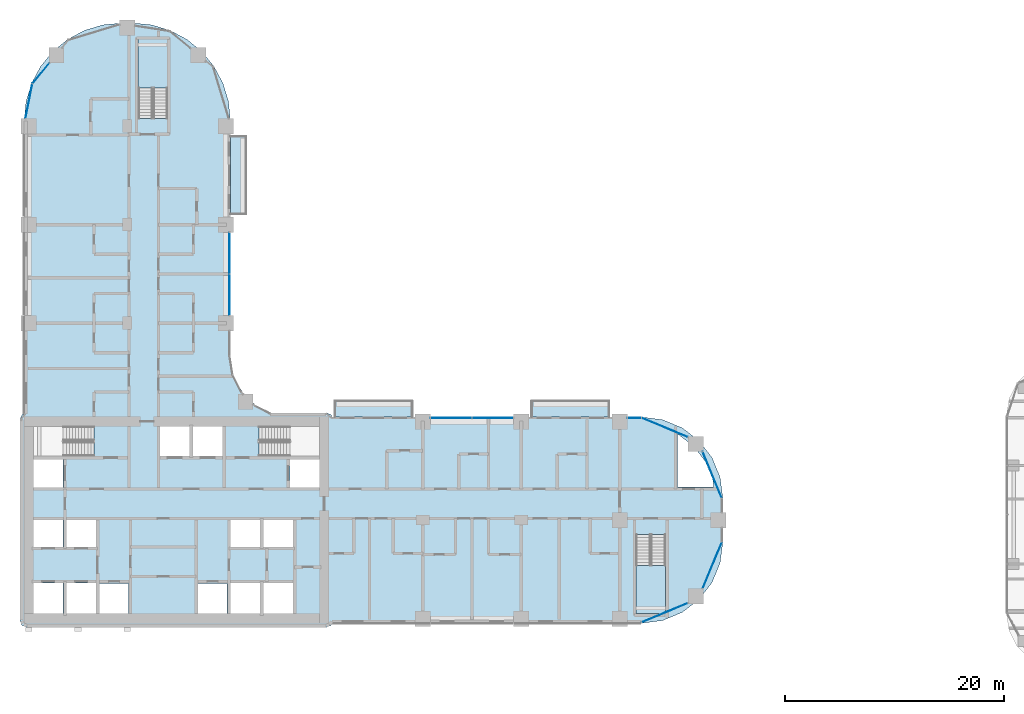
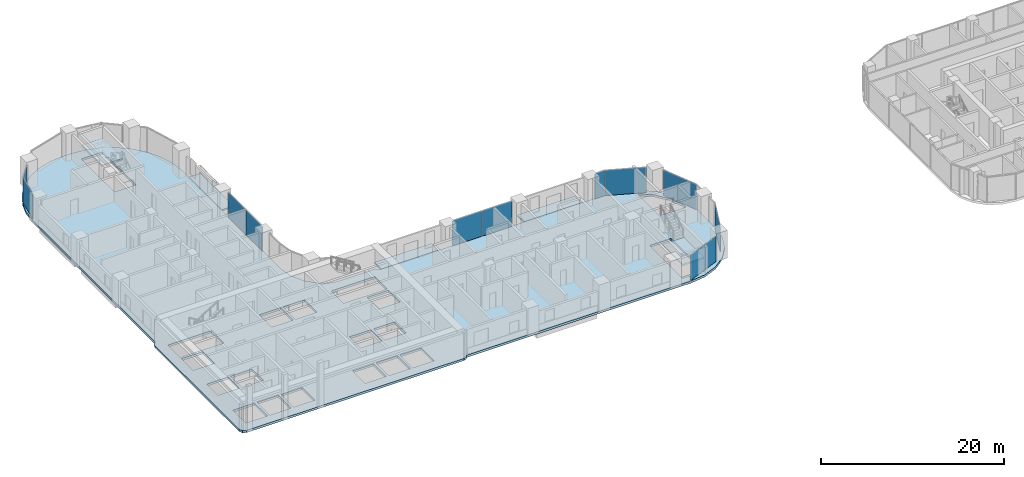
# One storey, part 11 of 30: 11 plates, 6 slabs, 10 elements without a shape of their own.
"""IFC4 building model written with IfcOpenShell, lengths in metres."""

import ifcopenshell
import ifcopenshell.guid

model = None  # the IFC model being written
_history = None  # IfcOwnerHistory: only IFC2X3 demands one
_inside = {}  # id of a spatial element -> (the spatial element, [elements in it])
_under = {}  # id of a project, library or spatial element -> (it, [spatial elements below it])
_declared = {}  # id of a project -> (the project, [libraries it declares])
_typed = {}  # id of a type object -> (the type object, [elements of that type])
_made_of = {}  # id of a material, layer set ... -> (it, [elements and type objects made of it])


def new_model(schema):
    """Start an empty IFC model of exactly this schema.

    Asked for "IFC4X3", IfcOpenShell would pick the latest addendum, in which some entities
    have other attributes; the version numbers below select the first issue.
    IFC2X3 requires an IfcOwnerHistory on every rooted entity: one is made here for all.
    """
    global model, _history
    if schema == "IFC4X3":
        model = ifcopenshell.file(schema_version=(4, 3, 0, 0))
    else:
        model = ifcopenshell.file(schema=schema)
    _inside.clear()
    _under.clear()
    _declared.clear()
    _typed.clear()
    _made_of.clear()
    _history = None
    if model.schema == "IFC2X3":
        org = make("IfcOrganization", Name="unknown")
        user = make(
            "IfcPersonAndOrganization",
            ThePerson=make("IfcPerson", FamilyName="unknown"),
            TheOrganization=org,
        )
        app = make(
            "IfcApplication",
            ApplicationDeveloper=org,
            Version="unknown",
            ApplicationFullName="unknown",
            ApplicationIdentifier="unknown",
        )
        _history = make(
            "IfcOwnerHistory",
            OwningUser=user,
            OwningApplication=app,
            ChangeAction="ADDED",
            CreationDate=0,
        )
    return model


def make(cls, **values):
    """One entity of the class cls with the attributes given. An attribute that is None is left unset."""
    return model.create_entity(
        cls, **{name: value for name, value in values.items() if value is not None}
    )


def rooted(cls, **values):
    """An entity with a GlobalId (a new one), such as an element, a storey or a relation."""
    return make(cls, GlobalId=ifcopenshell.guid.new(), OwnerHistory=_history, **values)


def si_unit(unit_type, name, prefix=None):
    """IfcSIUnit, for example si_unit("LENGTHUNIT", "METRE", prefix="MILLI")."""
    return make("IfcSIUnit", UnitType=unit_type, Prefix=prefix, Name=name)


def assignment(units):
    """IfcUnitAssignment: the units of a project."""
    return None if units is None else make("IfcUnitAssignment", Units=units)


def point(xyz):
    """IfcCartesianPoint."""
    return None if xyz is None else make("IfcCartesianPoint", Coordinates=xyz)


def direction(xyz):
    """IfcDirection."""
    return None if xyz is None else make("IfcDirection", DirectionRatios=xyz)


def frame(location, z_axis=None, x_axis=None):
    """IfcAxis2Placement3D, a coordinate frame: its origin and axes. An axis left out is left unset."""
    return make(
        "IfcAxis2Placement3D",
        Location=point(location),
        Axis=direction(z_axis),
        RefDirection=direction(x_axis),
    )


def frame_2d(location, x_axis=None):
    """IfcAxis2Placement2D, a coordinate frame in the plane: its origin and x axis."""
    return make(
        "IfcAxis2Placement2D", Location=point(location), RefDirection=direction(x_axis)
    )


def origin():
    """The frame at (0, 0, 0) with its axes left unset."""
    return frame((0.0, 0.0, 0.0))


def origin_2d():
    """The frame at (0, 0) in the plane with its x axis left unset."""
    return frame_2d((0.0, 0.0))


def place(relative_to, where):
    """IfcLocalPlacement: puts the frame where relative to a parent placement (None: the world)."""
    return make(
        "IfcLocalPlacement", PlacementRelTo=relative_to, RelativePlacement=where
    )


def context(
    kind, dimensions, precision=None, world=None, true_north=None, identifier=None
):
    """IfcGeometricRepresentationContext, for example the 3D "Model" context."""
    return make(
        "IfcGeometricRepresentationContext",
        ContextIdentifier=identifier,
        ContextType=kind,
        CoordinateSpaceDimension=dimensions,
        Precision=precision,
        WorldCoordinateSystem=world,
        TrueNorth=true_north,
    )


def subcontext(parent, identifier, kind, view, scale=None):
    """IfcGeometricRepresentationSubContext, for example "Body" below "Model"."""
    return make(
        "IfcGeometricRepresentationSubContext",
        ContextIdentifier=identifier,
        ContextType=kind,
        ParentContext=parent,
        TargetScale=scale,
        TargetView=view,
    )


def project(units=None, contexts=None):
    """IfcProject with its units and contexts."""
    return rooted(
        "IfcProject",
        Name="project",
        RepresentationContexts=contexts,
        UnitsInContext=assignment(units),
    )


def spatial(cls, under=None, at=None, **own):
    """A site, building, storey or space (cls), placed at a placement, below another one or the project."""
    s = rooted(cls, ObjectPlacement=at, **own)
    if under is not None:
        _under.setdefault(under.id(), (under, []))[1].append(s)
    return s


def polyline(points):
    """IfcPolyline through the points."""
    return make("IfcPolyline", Points=[point(p) for p in points])


def profile(cls, at=None, kind="AREA", **sizes):
    """A parametric profile (cls). Its sizes go by their IFC names, for example OverallWidth=200.0."""
    return make(cls, ProfileType=kind, Position=at, **sizes)


def rectangle(**sizes):
    """IfcRectangleProfileDef."""
    return profile("IfcRectangleProfileDef", **sizes)


def outline(outer, holes=None, kind="AREA"):
    """IfcArbitraryClosedProfileDef: a profile drawn as a closed curve; with holes, ...WithVoids."""
    if holes is None:
        return make("IfcArbitraryClosedProfileDef", ProfileType=kind, OuterCurve=outer)
    return make(
        "IfcArbitraryProfileDefWithVoids",
        ProfileType=kind,
        OuterCurve=outer,
        InnerCurves=holes,
    )


def extrude(swept, where, along, depth):
    """IfcExtrudedAreaSolid: the profile swept, set in the frame where, extruded along a direction by depth."""
    return make(
        "IfcExtrudedAreaSolid",
        SweptArea=swept,
        Position=where,
        ExtrudedDirection=direction(along),
        Depth=depth,
    )


def shape(context_of_items, identifier, shape_type, items):
    """IfcShapeRepresentation: the items that make up one representation, for example the "Body"."""
    return make(
        "IfcShapeRepresentation",
        ContextOfItems=context_of_items,
        RepresentationIdentifier=identifier,
        RepresentationType=shape_type,
        Items=items,
    )


def material(Name=None, Category=None):
    """IfcMaterial."""
    return make("IfcMaterial", Name=Name, Category=Category)


def layer(
    of_material, thickness, ventilated=None, Name=None, Category=None, Priority=None
):
    """IfcMaterialLayer: one layer of a wall or slab, of a material (None: an air gap)."""
    return make(
        "IfcMaterialLayer",
        Material=of_material,
        LayerThickness=thickness,
        IsVentilated=ventilated,
        Name=Name,
        Category=Category,
        Priority=Priority,
    )


def layer_set(layers, Name=None):
    """IfcMaterialLayerSet."""
    return make("IfcMaterialLayerSet", MaterialLayers=layers, LayerSetName=Name)


def made_of(thing, what):
    """Note that an element or type object is made of a material, layer set ...; save() writes the relation."""
    if what is not None:
        _made_of.setdefault(what.id(), (what, []))[1].append(thing)
    return thing


def type_object(cls, material=None, **own):
    """A type object (cls), such as IfcWallType, which elements share."""
    return made_of(rooted(cls, **own), material)


def element(
    cls,
    number,
    at=None,
    inside=None,
    cuts=None,
    type_object=None,
    material=None,
    context=None,
    identifier="Body",
    shape_type=None,
    held_by="IfcProductDefinitionShape",
    body=None,
    shapes=None,
    **own,
):
    """One element of the class cls, such as IfcWall. Its Tag is "e" and its number.

    at: its placement. inside: the storey or other place that contains it. cuts: it is an
    opening in that element (IfcRelVoidsElement). A single representation is given by context,
    identifier, shape_type and body (its items); several are given by shapes. held_by: the class
    of the entity that holds the representations. save() writes the other relations.
    """
    e = rooted(cls, Tag="e%d" % number, ObjectPlacement=at, **own)
    if body is not None:
        shapes = [shape(context, identifier, shape_type, body)]
    if shapes is not None:
        e.Representation = make(held_by, Representations=shapes)
    if inside is not None:
        _inside.setdefault(inside.id(), (inside, []))[1].append(e)
    if cuts is not None:
        rooted(
            "IfcRelVoidsElement", RelatingBuildingElement=cuts, RelatedOpeningElement=e
        )
    if type_object is not None:
        _typed.setdefault(type_object.id(), (type_object, []))[1].append(e)
    return made_of(e, material)


def aggregate(whole, parts):
    """IfcRelAggregates: a whole, such as a stair, and the parts it consists of."""
    return rooted("IfcRelAggregates", RelatingObject=whole, RelatedObjects=parts)


def save(model, path):
    """Write the relations noted so far, then the file.

    IfcRelAggregates (storeys below a building ...), IfcRelContainedInSpatialStructure (elements
    in a storey), IfcRelDefinesByType, IfcRelAssociatesMaterial and IfcRelDeclares: one each for
    every whole, place, type object, material and project.
    """
    for whole, parts in _under.values():
        aggregate(whole, parts)
    for where, things in _inside.values():
        rooted(
            "IfcRelContainedInSpatialStructure",
            RelatedElements=things,
            RelatingStructure=where,
        )
    for kind, things in _typed.values():
        rooted("IfcRelDefinesByType", RelatedObjects=things, RelatingType=kind)
    for what, things in _made_of.values():
        rooted("IfcRelAssociatesMaterial", RelatedObjects=things, RelatingMaterial=what)
    for by, libraries in _declared.values():
        rooted("IfcRelDeclares", RelatingContext=by, RelatedDefinitions=libraries)
    model.write(path)


model = new_model("IFC4")

# Units and contexts
model_context = context("Model", 3, precision=1e-05, world=origin(), true_north=direction((0.0, 1.0)))
body_context = subcontext(model_context, "Body", "Model", "MODEL_VIEW")
ifc_project = project(units=[si_unit("LENGTHUNIT", "METRE"), si_unit("AREAUNIT", "SQUARE_METRE"), si_unit("VOLUMEUNIT", "CUBIC_METRE"), si_unit("PLANEANGLEUNIT", "RADIAN"), si_unit("MASSUNIT", "GRAM", prefix="KILO")], contexts=[model_context])

# Site, building, storey
site_placement = place(None, origin())
site = spatial("IfcSite", under=ifc_project, at=site_placement, CompositionType="ELEMENT")
building_placement = place(site_placement, origin())
building = spatial("IfcBuilding", under=site, at=building_placement, Name="Ogive Portal Towers", CompositionType="ELEMENT")
storey_placement = place(building_placement, frame((0.0, 0.0, 37.199951171875)))
storey = spatial("IfcBuildingStorey", under=building, at=storey_placement, Name="L07", CompositionType="ELEMENT", Elevation=37.199951171875)

# Slabs
ifc_material_1 = material(Name="Concrete C40/50", Category="concrete")
ifc_layer_1 = layer(ifc_material_1, 0.199951171875)
ifc_layer_set_1 = layer_set([ifc_layer_1], Name="BALCONY SLAB 200")
slab_type_1 = type_object("IfcSlabType", Name="BALCONY SLAB 200", PredefinedType="FLOOR", material=ifc_layer_set_1)
slab_1_placement = place(storey_placement, frame((0.0, 0.0, -0.199951171875)))
element("IfcSlab", 1, at=slab_1_placement, inside=storey, type_object=slab_type_1, Name="Balcony T1", PredefinedType="FLOOR", context=body_context, shape_type="SweptSolid", body=[
    extrude(outline(polyline([(59.39990234375, 39.925048828125), (66.60009765625, 39.925048828125), (66.60009765625, 41.425048828125), (59.39990234375, 41.425048828125), (59.39990234375, 39.925048828125)])), origin(), (0.0, 0.0, 1.0), 0.199951171875),
])
slab_2_placement = place(storey_placement, frame((0.0, 0.0, -0.199951171875)))
element("IfcSlab", 2, at=slab_2_placement, inside=storey, type_object=slab_type_1, Name="Balcony T3", PredefinedType="FLOOR", context=body_context, shape_type="SweptSolid", body=[
    extrude(outline(polyline([(77.39990234375, 39.925048828125), (84.60009765625, 39.925048828125), (84.60009765625, 41.425048828125), (77.39990234375, 41.425048828125), (77.39990234375, 39.925048828125)])), origin(), (0.0, 0.0, 1.0), 0.199951171875),
])
slab_3_placement = place(storey_placement, frame((0.0, 0.0, -0.199951171875)))
element("IfcSlab", 3, at=slab_3_placement, inside=storey, type_object=slab_type_1, Name="Balcony S2", PredefinedType="FLOOR", context=body_context, shape_type="SweptSolid", body=[
    extrude(outline(polyline([(49.925048828125, 58.39990234375), (51.425048828125, 58.39990234375), (51.425048828125, 65.60009765625), (49.925048828125, 65.60009765625), (49.925048828125, 58.39990234375)])), origin(), (0.0, 0.0, 1.0), 0.199951171875),
])

# Curtain wall, plates
ifc_material_2 = material(Name="Glass, clear low-iron insulated glazing", Category="glass")
curtain_wall_type = type_object("IfcCurtainWallType", Name="CW FRONT RIBBON 4500", PredefinedType="NOTDEFINED", material=ifc_material_2)
curtain_wall_1_placement = place(storey_placement, origin())
curtain_wall_1 = element("IfcCurtainWall", 4, at=curtain_wall_1_placement, inside=storey, type_object=curtain_wall_type, Name="A:L07:f06:cw0~1", PredefinedType="NOTDEFINED")
ifc_layer_2 = layer(ifc_material_2, 0.028076171875)
ifc_layer_set_2 = layer_set([ifc_layer_2], Name="CW PANEL IGU 28")
plate_type = type_object("IfcPlateType", Name="CW PANEL IGU 28", PredefinedType="CURTAIN_PANEL", material=ifc_layer_set_2)
plate_1_placement = place(storey_placement, frame((49.844970703125, 51.10009765625, 0.0), z_axis=(0.0, 0.0, 1.0), x_axis=(0.0, 1.0, 0.0)))
plate_1 = element("IfcPlate", 5, at=plate_1_placement, type_object=plate_type, Name="panel", PredefinedType="CURTAIN_PANEL", context=body_context, shape_type="SweptSolid", body=[
    extrude(rectangle(XDim=3.739990234375, YDim=0.028076171875, at=origin_2d()), origin(), (0.0, 0.0, 1.0), 3.340087890625),
])
plate_2_placement = place(storey_placement, frame((49.844970703125, 54.89990234375, 0.0), z_axis=(0.0, 0.0, 1.0), x_axis=(0.0, 1.0, 0.0)))
plate_2 = element("IfcPlate", 6, at=plate_2_placement, type_object=plate_type, Name="panel", PredefinedType="CURTAIN_PANEL", context=body_context, shape_type="SweptSolid", body=[
    extrude(rectangle(XDim=3.739990234375, YDim=0.028076171875, at=origin_2d()), origin(), (0.0, 0.0, 1.0), 3.340087890625),
])
aggregate(curtain_wall_1, [plate_1, plate_2])

# Curtain wall, plate
curtain_wall_2_placement = place(storey_placement, origin())
curtain_wall_2 = element("IfcCurtainWall", 7, at=curtain_wall_2_placement, inside=storey, type_object=curtain_wall_type, Name="A:L07:f27:cw0", PredefinedType="NOTDEFINED")
plate_3_placement = place(storey_placement, frame((86.842041015625, 39.844970703125, 0.0), z_axis=(0.0, 0.0, 1.0), x_axis=(-1.0, 0.0, 0.0)))
plate_3 = element("IfcPlate", 8, at=plate_3_placement, type_object=plate_type, Name="panel", PredefinedType="CURTAIN_PANEL", context=body_context, shape_type="SweptSolid", body=[
    extrude(rectangle(XDim=1.22412109375, YDim=0.028076171875, at=origin_2d()), origin(), (0.0, 0.0, 1.0), 3.340087890625),
])
aggregate(curtain_wall_2, [plate_3])

# Curtain wall, plates
curtain_wall_3_placement = place(storey_placement, origin())
curtain_wall_3 = element("IfcCurtainWall", 9, at=curtain_wall_3_placement, inside=storey, type_object=curtain_wall_type, Name="A:L07:f27:cw1", PredefinedType="NOTDEFINED")
plate_4_placement = place(storey_placement, frame((73.89990234375, 39.844970703125, 0.0), z_axis=(0.0, 0.0, 1.0), x_axis=(-1.0, 0.0, 0.0)))
plate_4 = element("IfcPlate", 10, at=plate_4_placement, type_object=plate_type, Name="panel", PredefinedType="CURTAIN_PANEL", context=body_context, shape_type="SweptSolid", body=[
    extrude(rectangle(XDim=3.739990234375, YDim=0.028076171875, at=origin_2d()), origin(), (0.0, 0.0, 1.0), 3.340087890625),
])
plate_5_placement = place(storey_placement, frame((70.10009765625, 39.844970703125, 0.0), z_axis=(0.0, 0.0, 1.0), x_axis=(-1.0, 0.0, 0.0)))
plate_5 = element("IfcPlate", 11, at=plate_5_placement, type_object=plate_type, Name="panel", PredefinedType="CURTAIN_PANEL", context=body_context, shape_type="SweptSolid", body=[
    extrude(rectangle(XDim=3.739990234375, YDim=0.028076171875, at=origin_2d()), origin(), (0.0, 0.0, 1.0), 3.340087890625),
])
aggregate(curtain_wall_3, [plate_4, plate_5])

curtain_wall_4_placement = place(storey_placement, origin())
curtain_wall_4 = element("IfcCurtainWall", 12, at=curtain_wall_4_placement, inside=storey, type_object=curtain_wall_type, Name="A:L07:f07:cwa~3", PredefinedType="NOTDEFINED")
plate_6_placement = place(storey_placement, frame((32.605712890625, 71.32666015625, 0.0), z_axis=(0.0, 0.0, 1.0), x_axis=(-0.634393284164, -0.773010453363, 0.0)))
plate_6 = element("IfcPlate", 13, at=plate_6_placement, type_object=plate_type, Name="panel", PredefinedType="CURTAIN_PANEL", context=body_context, shape_type="SweptSolid", body=[
    extrude(rectangle(XDim=2.388671875, YDim=0.028076171875, at=origin_2d()), origin(), (0.0, 0.0, 1.0), 3.340087890625),
])
plate_7_placement = place(storey_placement, frame((31.5126953125, 68.7900390625, 0.0), z_axis=(0.0, 0.0, 1.0), x_axis=(-0.195090322016, -0.980785280403, 0.0)))
plate_7 = element("IfcPlate", 14, at=plate_7_placement, type_object=plate_type, Name="panel", PredefinedType="CURTAIN_PANEL", context=body_context, shape_type="SweptSolid", body=[
    extrude(rectangle(XDim=3.182373046875, YDim=0.028076171875, at=origin_2d()), origin(), (0.0, 0.0, 1.0), 3.340087890625),
])
aggregate(curtain_wall_4, [plate_6, plate_7])

# Curtain wall, plate
curtain_wall_5_placement = place(storey_placement, origin())
curtain_wall_5 = element("IfcCurtainWall", 15, at=curtain_wall_5_placement, inside=storey, type_object=curtain_wall_type, Name="A:L07:f22:cwa~0", PredefinedType="NOTDEFINED")
plate_8_placement = place(storey_placement, frame((89.616943359375, 22.03857421875, 0.0), z_axis=(0.0, 0.0, 1.0), x_axis=(0.923879532511, 0.382683432365, 0.0)))
plate_8 = element("IfcPlate", 16, at=plate_8_placement, type_object=plate_type, Name="panel", PredefinedType="CURTAIN_PANEL", context=body_context, shape_type="SweptSolid", body=[
    extrude(rectangle(XDim=4.557373046875, YDim=0.028076171875, at=origin_2d()), origin(), (0.0, 0.0, 1.0), 3.340087890625),
])
aggregate(curtain_wall_5, [plate_8])

curtain_wall_6_placement = place(storey_placement, origin())
curtain_wall_6 = element("IfcCurtainWall", 17, at=curtain_wall_6_placement, inside=storey, type_object=curtain_wall_type, Name="A:L07:f22:cwa~1", PredefinedType="NOTDEFINED")
plate_9_placement = place(storey_placement, frame((93.96142578125, 26.383056640625, 0.0), z_axis=(0.0, 0.0, 1.0), x_axis=(0.382683432365, 0.923879532511, 0.0)))
plate_9 = element("IfcPlate", 18, at=plate_9_placement, type_object=plate_type, Name="panel", PredefinedType="CURTAIN_PANEL", context=body_context, shape_type="SweptSolid", body=[
    extrude(rectangle(XDim=4.557373046875, YDim=0.028076171875, at=origin_2d()), origin(), (0.0, 0.0, 1.0), 3.340087890625),
])
aggregate(curtain_wall_6, [plate_9])

curtain_wall_7_placement = place(storey_placement, origin())
curtain_wall_7 = element("IfcCurtainWall", 19, at=curtain_wall_7_placement, inside=storey, type_object=curtain_wall_type, Name="A:L07:f25:cwa~0", PredefinedType="NOTDEFINED")
plate_10_placement = place(storey_placement, frame((93.96142578125, 34.616943359375, 0.0), z_axis=(0.0, 0.0, 1.0), x_axis=(-0.382683432365, 0.923879532511, 0.0)))
plate_10 = element("IfcPlate", 20, at=plate_10_placement, type_object=plate_type, Name="panel", PredefinedType="CURTAIN_PANEL", context=body_context, shape_type="SweptSolid", body=[
    extrude(rectangle(XDim=4.557373046875, YDim=0.028076171875, at=origin_2d()), origin(), (0.0, 0.0, 1.0), 3.340087890625),
])
aggregate(curtain_wall_7, [plate_10])

curtain_wall_8_placement = place(storey_placement, origin())
curtain_wall_8 = element("IfcCurtainWall", 21, at=curtain_wall_8_placement, inside=storey, type_object=curtain_wall_type, Name="A:L07:f25:cwa~1", PredefinedType="NOTDEFINED")
plate_11_placement = place(storey_placement, frame((89.616943359375, 38.96142578125, 0.0), z_axis=(0.0, 0.0, 1.0), x_axis=(-0.923879532511, 0.382683432365, 0.0)))
plate_11 = element("IfcPlate", 22, at=plate_11_placement, type_object=plate_type, Name="panel", PredefinedType="CURTAIN_PANEL", context=body_context, shape_type="SweptSolid", body=[
    extrude(rectangle(XDim=4.557373046875, YDim=0.028076171875, at=origin_2d()), origin(), (0.0, 0.0, 1.0), 3.340087890625),
])
aggregate(curtain_wall_8, [plate_11])

# Stair, slab
stair_type = type_object("IfcStairType", Name="INT-STAIR", PredefinedType="HALF_TURN_STAIR", material=ifc_material_1)
stair_1_placement = place(storey_placement, origin())
stair_1 = element("IfcStair", 23, at=stair_1_placement, inside=storey, type_object=stair_type, Name="L07 Exit Stair ST-A3", PredefinedType="HALF_TURN_STAIR")
ifc_layer_3 = layer(ifc_material_1, 0.199951171875)
ifc_layer_set_3 = layer_set([ifc_layer_3], Name="INT-LANDING")
slab_type_2 = type_object("IfcSlabType", Name="INT-LANDING", PredefinedType="LANDING", material=ifc_layer_set_3)
slab_4_placement = place(storey_placement, frame((0.0, 0.0, 1.650146484375)))
slab_4 = element("IfcSlab", 24, at=slab_4_placement, type_object=slab_type_2, Name="ST-A3 landing 1", PredefinedType="LANDING", context=body_context, shape_type="SweptSolid", body=[
    extrude(outline(polyline([(44.199951171875, 70.0), (44.199951171875, 74.449951171875), (41.5, 74.449951171875), (41.5, 70.0), (44.199951171875, 70.0)])), origin(), (0.0, 0.0, 1.0), 0.199951171875),
])
aggregate(stair_1, [slab_4])

stair_2_placement = place(storey_placement, origin())
stair_2 = element("IfcStair", 25, at=stair_2_placement, inside=storey, type_object=stair_type, Name="L07 Exit Stair ST-A4", PredefinedType="HALF_TURN_STAIR")
slab_5_placement = place(storey_placement, frame((0.0, 0.0, 1.650146484375)))
slab_5 = element("IfcSlab", 26, at=slab_5_placement, type_object=slab_type_2, Name="ST-A4 landing 1", PredefinedType="LANDING", context=body_context, shape_type="SweptSolid", body=[
    extrude(outline(polyline([(87.0, 26.3701171875), (87.0, 21.949951171875), (89.699951171875, 21.949951171875), (89.699951171875, 26.3701171875), (87.0, 26.3701171875)])), origin(), (0.0, 0.0, 1.0), 0.199951171875),
])
aggregate(stair_2, [slab_5])

# Slab
ifc_material_3 = material(Name="Concrete C45/55", Category="concrete")
ifc_layer_4 = layer(ifc_material_3, 0.300048828125)
ifc_layer_set_4 = layer_set([ifc_layer_4], Name="PT FLAT PLATE 300")
slab_type_3 = type_object("IfcSlabType", Name="PT FLAT PLATE 300", PredefinedType="FLOOR", material=ifc_layer_set_4)
slab_6_placement = place(storey_placement, frame((0.0, 0.0, -0.300048828125)))
element("IfcSlab", 27, at=slab_6_placement, inside=storey, type_object=slab_type_3, Name="Floor slab L07", PredefinedType="FLOOR", context=body_context, shape_type="SweptSolid", body=[
    extrude(outline(polyline([(89.421630859375, 39.672119140625), (87.5, 39.925048828125), (59.206787109375, 39.925048828125), (59.124267578125, 40.124267578125), (58.699951171875, 40.300048828125), (53.576904296875, 40.300048828125), (52.22314453125, 40.98974609375), (50.98974609375, 42.22314453125), (50.197998046875, 43.777099609375), (49.925048828125, 45.5), (49.925048828125, 67.0), (49.75341796875, 68.7412109375), (49.24560546875, 70.415283203125), (48.4208984375, 71.95849609375), (47.310791015625, 73.310791015625), (45.95849609375, 74.4208984375), (44.415283203125, 75.24560546875), (42.7412109375, 75.75341796875), (41.0, 75.925048828125), (40.0, 75.925048828125), (38.2587890625, 75.75341796875), (36.584716796875, 75.24560546875), (35.04150390625, 74.4208984375), (33.689208984375, 73.310791015625), (32.5791015625, 71.95849609375), (31.75439453125, 70.415283203125), (31.24658203125, 68.7412109375), (31.074951171875, 67.0), (31.074951171875, 40.206787109375), (30.875732421875, 40.124267578125), (30.699951171875, 39.699951171875), (30.699951171875, 21.300048828125), (30.875732421875, 20.875732421875), (31.300048828125, 20.699951171875), (58.699951171875, 20.699951171875), (59.124267578125, 20.875732421875), (59.206787109375, 21.074951171875), (87.5, 21.074951171875), (89.421630859375, 21.327880859375), (91.21240234375, 22.06982421875), (92.750244140625, 23.249755859375), (93.93017578125, 24.78759765625), (94.672119140625, 26.578369140625), (94.925048828125, 28.5), (94.925048828125, 32.5), (94.672119140625, 34.421630859375), (93.93017578125, 36.21240234375), (92.750244140625, 37.750244140625), (91.21240234375, 38.93017578125), (89.421630859375, 39.672119140625)]), holes=[polyline([(34.64990234375, 24.75), (34.64990234375, 21.949951171875), (31.949951171875, 21.949951171875), (31.949951171875, 24.75), (34.64990234375, 24.75)]), polyline([(37.64990234375, 24.75), (37.64990234375, 21.949951171875), (34.949951171875, 21.949951171875), (34.949951171875, 24.75), (37.64990234375, 24.75)]), polyline([(40.6298828125, 21.969970703125), (37.969970703125, 21.969970703125), (37.969970703125, 24.72998046875), (40.6298828125, 24.72998046875), (40.6298828125, 21.969970703125)]), polyline([(46.969970703125, 21.969970703125), (46.969970703125, 24.72998046875), (49.6298828125, 24.72998046875), (49.6298828125, 21.969970703125), (46.969970703125, 21.969970703125)]), polyline([(34.64990234375, 28.050048828125), (31.949951171875, 28.050048828125), (31.949951171875, 30.5), (34.64990234375, 30.5), (34.64990234375, 28.050048828125)]), polyline([(37.64990234375, 30.5), (37.64990234375, 28.050048828125), (34.949951171875, 28.050048828125), (34.949951171875, 30.5), (37.64990234375, 30.5)]), polyline([(34.64990234375, 36.050048828125), (34.64990234375, 33.5), (31.949951171875, 33.5), (31.949951171875, 36.050048828125), (34.64990234375, 36.050048828125)]), polyline([(31.951904296875, 39.048095703125), (37.447998046875, 39.048095703125), (37.447998046875, 36.35205078125), (31.951904296875, 36.35205078125), (31.951904296875, 39.048095703125)]), polyline([(46.199951171875, 36.35009765625), (43.5, 36.35009765625), (43.5, 39.050048828125), (46.199951171875, 39.050048828125), (46.199951171875, 36.35009765625)]), polyline([(49.199951171875, 36.35009765625), (46.5, 36.35009765625), (46.5, 39.050048828125), (49.199951171875, 39.050048828125), (49.199951171875, 36.35009765625)]), polyline([(44.197998046875, 74.447998046875), (44.197998046875, 67.201904296875), (41.501953125, 67.201904296875), (41.501953125, 74.447998046875), (44.197998046875, 74.447998046875)]), polyline([(52.64990234375, 24.75), (52.64990234375, 21.949951171875), (49.949951171875, 21.949951171875), (49.949951171875, 24.75), (52.64990234375, 24.75)]), polyline([(55.64990234375, 21.949951171875), (52.949951171875, 21.949951171875), (52.949951171875, 24.75), (55.64990234375, 24.75), (55.64990234375, 21.949951171875)]), polyline([(87.001953125, 29.16796875), (89.697998046875, 29.16796875), (89.697998046875, 21.951904296875), (87.001953125, 21.951904296875), (87.001953125, 29.16796875)]), polyline([(52.64990234375, 30.5), (52.64990234375, 28.050048828125), (49.949951171875, 28.050048828125), (49.949951171875, 30.5), (52.64990234375, 30.5)]), polyline([(55.64990234375, 28.050048828125), (52.949951171875, 28.050048828125), (52.949951171875, 30.5), (55.64990234375, 30.5), (55.64990234375, 28.050048828125)]), polyline([(58.050048828125, 36.050048828125), (58.050048828125, 33.5), (55.35009765625, 33.5), (55.35009765625, 36.050048828125), (58.050048828125, 36.050048828125)]), polyline([(93.31884765625, 35.859619140625), (93.989990234375, 34.239013671875), (94.084716796875, 33.52001953125), (90.77001953125, 33.52001953125), (90.77001953125, 38.35595703125), (90.859619140625, 38.31884765625), (92.2509765625, 37.2509765625), (93.31884765625, 35.859619140625)]), polyline([(52.552001953125, 36.35205078125), (52.552001953125, 39.048095703125), (58.048095703125, 39.048095703125), (58.048095703125, 36.35205078125), (52.552001953125, 36.35205078125)])]), origin(), (0.0, 0.0, 1.0), 0.300048828125),
])

save(model, "model.ifc")
